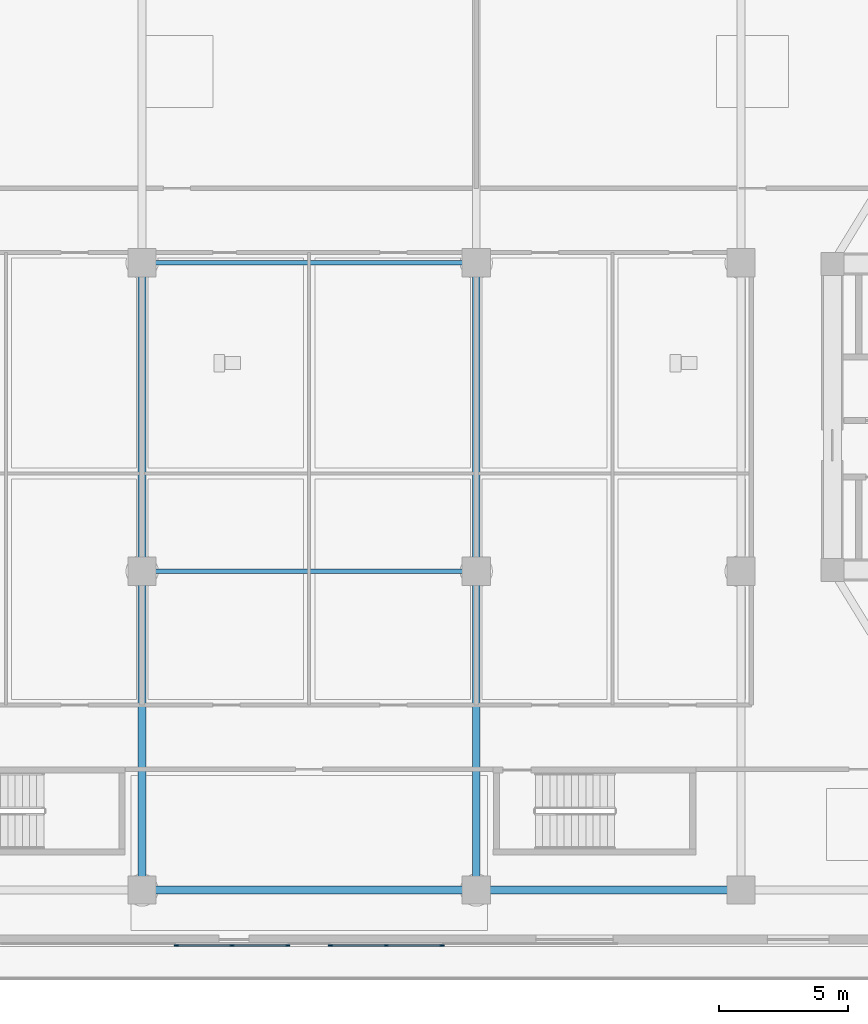
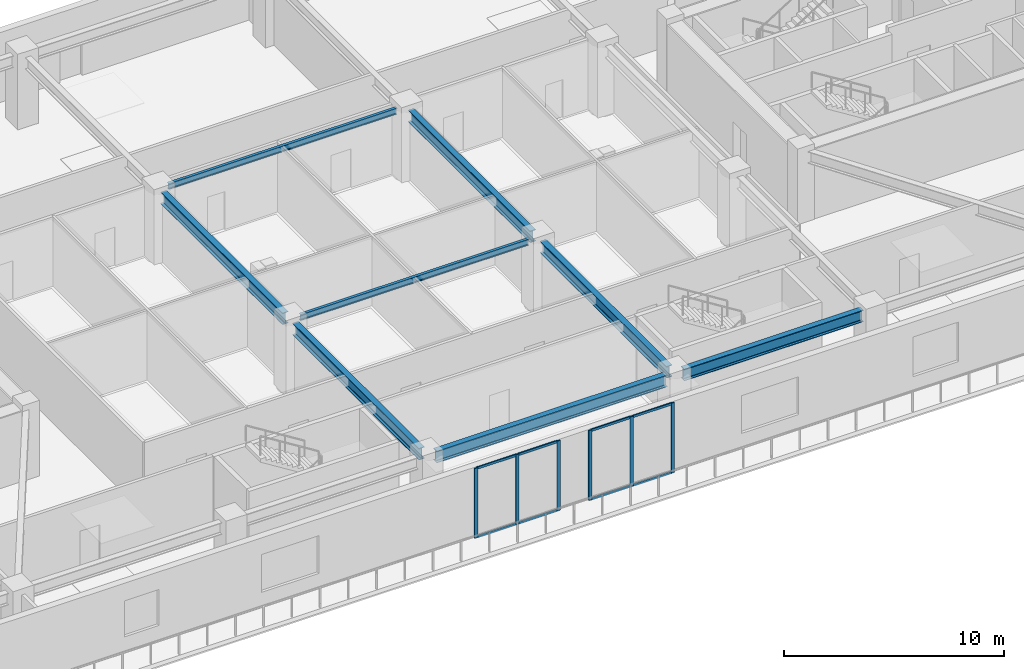
# One storey, part 2 of 22: 14 members, 8 beams, 2 elements without a shape of their own.
"""IFC4 building model written with IfcOpenShell, lengths in metres."""

from ifc_helpers import new_model, si_unit, direction, frame, origin, origin_2d, place, context, subcontext, project, spatial, rectangle, i_section, extrude, source, transform, mapped, material, layer, layer_set, material_profile, profile_set, type_object, type_shapes, element, aggregate, save


model = new_model("IFC4")

# Units and contexts
model_context = context("Model", 3, precision=1e-05, world=origin(), true_north=direction((0.0, 1.0)))
body_context = subcontext(model_context, "Body", "Model", "MODEL_VIEW")
ifc_project = project(units=[si_unit("LENGTHUNIT", "METRE"), si_unit("AREAUNIT", "SQUARE_METRE"), si_unit("VOLUMEUNIT", "CUBIC_METRE"), si_unit("PLANEANGLEUNIT", "RADIAN"), si_unit("MASSUNIT", "GRAM", prefix="KILO")], contexts=[model_context])

# Site, building, storey
site_placement = place(None, origin())
site = spatial("IfcSite", under=ifc_project, at=site_placement, CompositionType="ELEMENT")
building_placement = place(site_placement, origin())
building = spatial("IfcBuilding", under=site, at=building_placement, Name="Norrkilde Senior Care Towers", CompositionType="ELEMENT")
storey_placement = place(building_placement, frame((0.0, 0.0, 12.60009765625)))
storey = spatial("IfcBuildingStorey", under=building, at=storey_placement, Name="L03", CompositionType="ELEMENT", Elevation=12.60009765625)

# Beams
ifc_material_1 = material(Name="Steel S355", Category="steel")
ifc_material_profile_1 = material_profile(ifc_material_1, i_section(OverallWidth=0.159912109375, OverallDepth=0.330078125, WebThickness=0.007568359375, FlangeThickness=0.011474609375, FilletRadius=0.01806640625, at=origin_2d()), Name="IPE 330")
ifc_profile_set_1 = profile_set([ifc_material_profile_1], Name="Steel S355")
beam_type_1 = type_object("IfcBeamType", Name="Podium Deck Joist IPE330", PredefinedType="JOIST", material=ifc_profile_set_1)
shared_shape_1 = source(origin(), body_context, "Body", "SweptSolid", [
    extrude(i_section(OverallWidth=0.159912109375, OverallDepth=0.330078125, WebThickness=0.007568359375, FlangeThickness=0.011474609375, FilletRadius=0.01806640625, at=origin_2d()), origin(), (0.0, 0.0, 1.0), 12.0),
])
type_shapes(beam_type_1, [shared_shape_1])
for number, where, z_axis, x_axis, name in (
    (1, (-6.0, -6.0, 3.71484375), (1.0, 0.0, 0.0), (0.0, 1.0, 0.0), "L03 Podium Central Span Beam 1"),
    (2, (-6.0, 6.0, 3.71484375), (1.0, 0.0, 0.0), (0.0, 1.0, 0.0), "L03 Podium Central Span Beam 2"),
):
    element("IfcBeam", number, at=place(storey_placement, frame(where, z_axis=z_axis, x_axis=x_axis)), inside=storey, type_object=beam_type_1, Name=name, PredefinedType="JOIST", context=body_context, shape_type="MappedRepresentation", body=[
        mapped(shared_shape_1, transform((0.0, 0.0, 0.0), x_axis=(1.0, 0.0, 0.0), y_axis=(0.0, 1.0, 0.0), z_axis=(0.0, 0.0, 1.0), scale=1.0)),
    ])
ifc_material_profile_2 = material_profile(ifc_material_1, i_section(OverallWidth=0.300048828125, OverallDepth=0.64990234375, WebThickness=0.01611328125, FlangeThickness=0.031005859375, FilletRadius=0.027099609375, at=origin_2d()), Name="HEB 650")
ifc_profile_set_2 = profile_set([ifc_material_profile_2], Name="Steel S355")
beam_type_2 = type_object("IfcBeamType", Name="Podium Primary Beam HEB650", PredefinedType="BEAM", material=ifc_profile_set_2)
shared_shape_2 = source(origin(), body_context, "Body", "SweptSolid", [
    extrude(i_section(OverallWidth=0.300048828125, OverallDepth=0.64990234375, WebThickness=0.01611328125, FlangeThickness=0.031005859375, FilletRadius=0.027099609375, at=origin_2d()), origin(), (0.0, 0.0, 1.0), 9.400146484375),
])
beam_1_placement = place(storey_placement, frame((6.949951171875, -18.39990234375, 3.554931640625), z_axis=(1.0, 0.0, 0.0), x_axis=(0.0, 1.0, 0.0)))
element("IfcBeam", 3, at=beam_1_placement, inside=storey, type_object=beam_type_2, Name="L03 Podium E-W Frame Beam 1.6", PredefinedType="BEAM", context=body_context, shape_type="MappedRepresentation", body=[
    mapped(shared_shape_2, transform((0.0, 0.0, 0.0), x_axis=(1.0, 0.0, 0.0), y_axis=(0.0, 1.0, 0.0), z_axis=(0.0, 0.0, 1.0), scale=1.0)),
])
shared_shape_3 = source(origin(), body_context, "Body", "SweptSolid", [
    extrude(i_section(OverallWidth=0.300048828125, OverallDepth=0.64990234375, WebThickness=0.01611328125, FlangeThickness=0.031005859375, FilletRadius=0.027099609375, at=origin_2d()), origin(), (0.0, 0.0, 1.0), 12.10009765625),
])
beam_2_placement = place(storey_placement, frame((-6.050048828125, -18.39990234375, 3.554931640625), z_axis=(1.0, 0.0, 0.0), x_axis=(0.0, 1.0, 0.0)))
element("IfcBeam", 4, at=beam_2_placement, inside=storey, type_object=beam_type_2, Name="L03 Podium E-W Frame Beam 1.5", PredefinedType="BEAM", context=body_context, shape_type="MappedRepresentation", body=[
    mapped(shared_shape_3, transform((0.0, 0.0, 0.0), x_axis=(1.0, 0.0, 0.0), y_axis=(0.0, 1.0, 0.0), z_axis=(0.0, 0.0, 1.0), scale=1.0)),
])
shared_shape_4 = source(origin(), body_context, "Body", "SweptSolid", [
    extrude(i_section(OverallWidth=0.300048828125, OverallDepth=0.64990234375, WebThickness=0.01611328125, FlangeThickness=0.031005859375, FilletRadius=0.027099609375, at=origin_2d()), origin(), (0.0, 0.0, 1.0), 11.5),
])
for number, where, z_axis, x_axis, name in (
    (5, (-6.5, -17.949951171875, 3.554931640625), (0.0, 1.0, 0.0), (-1.0, 0.0, 0.0), "L03 Podium N-S Frame Beam 2.1"),
    (6, (6.5, -17.949951171875, 3.554931640625), (0.0, 1.0, 0.0), (-1.0, 0.0, 0.0), "L03 Podium N-S Frame Beam 3.1"),
):
    element("IfcBeam", number, at=place(storey_placement, frame(where, z_axis=z_axis, x_axis=x_axis)), inside=storey, type_object=beam_type_2, Name=name, PredefinedType="BEAM", context=body_context, shape_type="MappedRepresentation", body=[
        mapped(shared_shape_4, transform((0.0, 0.0, 0.0), x_axis=(1.0, 0.0, 0.0), y_axis=(0.0, 1.0, 0.0), z_axis=(0.0, 0.0, 1.0), scale=1.0)),
    ])
shared_shape_5 = source(origin(), body_context, "Body", "SweptSolid", [
    extrude(i_section(OverallWidth=0.300048828125, OverallDepth=0.64990234375, WebThickness=0.01611328125, FlangeThickness=0.031005859375, FilletRadius=0.027099609375, at=origin_2d()), origin(), (0.0, 0.0, 1.0), 11.10009765625),
])
type_shapes(beam_type_2, [shared_shape_2, shared_shape_3, shared_shape_4, shared_shape_5])
for number, where, z_axis, x_axis, name in (
    (7, (-6.5, -5.550048828125, 3.554931640625), (0.0, 1.0, 0.0), (-1.0, 0.0, 0.0), "L03 Podium N-S Frame Beam 2.2"),
    (8, (6.5, -5.550048828125, 3.554931640625), (0.0, 1.0, 0.0), (-1.0, 0.0, 0.0), "L03 Podium N-S Frame Beam 3.2"),
):
    element("IfcBeam", number, at=place(storey_placement, frame(where, z_axis=z_axis, x_axis=x_axis)), inside=storey, type_object=beam_type_2, Name=name, PredefinedType="BEAM", context=body_context, shape_type="MappedRepresentation", body=[
        mapped(shared_shape_5, transform((0.0, 0.0, 0.0), x_axis=(1.0, 0.0, 0.0), y_axis=(0.0, 1.0, 0.0), z_axis=(0.0, 0.0, 1.0), scale=1.0)),
    ])

# Curtain wall, members
ifc_material_2 = material(Name="Triple Low-E Insulated Glazing", Category="glass")
ifc_layer = layer(ifc_material_2, 0.219970703125)
ifc_layer_set = layer_set([ifc_layer], Name="Triple Low-E Insulated Glazing")
curtain_wall_type = type_object("IfcCurtainWallType", Name="CW1 Podium Clinic Terracotta Curtain Wall", PredefinedType="NOTDEFINED", material=ifc_layer_set)
curtain_wall_1_placement = place(storey_placement, origin())
curtain_wall_1 = element("IfcCurtainWall", 9, at=curtain_wall_1_placement, inside=storey, type_object=curtain_wall_type, Name="L03 Podium Portal Feature Curtain Wall 1", PredefinedType="NOTDEFINED")
ifc_material_3 = material(Name="Anodised Aluminium", Category="aluminium")
ifc_material_profile_3 = material_profile(ifc_material_3, rectangle(XDim=0.06494140625, YDim=0.1298828125, at=origin_2d()), Name="ALU TRAN 65x130")
ifc_profile_set_3 = profile_set([ifc_material_profile_3], Name="Anodised Aluminium")
member_type_1 = type_object("IfcMemberType", Name="Curtain Wall Transom Heavy 65x130", PredefinedType="USERDEFINED", material=ifc_profile_set_3)
shared_shape_6 = source(origin(), body_context, "Body", "SweptSolid", [
    extrude(rectangle(XDim=0.06494140625, YDim=0.1298828125, at=origin_2d()), origin(), (0.0, 0.0, 1.0), 2.094970703125),
])
type_shapes(member_type_1, [shared_shape_6])
member_1_placement = place(storey_placement, frame((-0.8701171875, -20.56005859375, 0.032470703125), z_axis=(-1.0, 0.0, 0.0), x_axis=(0.0, -1.0, 0.0)))
member_1 = element("IfcMember", 10, at=member_1_placement, type_object=member_type_1, Name="CW-1 transom 1.1", ObjectType="TRANSOM", PredefinedType="USERDEFINED", context=body_context, shape_type="MappedRepresentation", body=[
    mapped(shared_shape_6, transform((0.0, 0.0, 0.0), x_axis=(1.0, 0.0, 0.0), y_axis=(0.0, 1.0, 0.0), z_axis=(0.0, 0.0, 1.0), scale=1.0)),
])
member_2_placement = place(storey_placement, frame((-0.8701171875, -20.56005859375, 3.847412109375), z_axis=(-1.0, 0.0, 0.0), x_axis=(0.0, -1.0, 0.0)))
member_2 = element("IfcMember", 11, at=member_2_placement, type_object=member_type_1, Name="CW-1 transom 1.2", ObjectType="TRANSOM", PredefinedType="USERDEFINED", context=body_context, shape_type="MappedRepresentation", body=[
    mapped(shared_shape_6, transform((0.0, 0.0, 0.0), x_axis=(1.0, 0.0, 0.0), y_axis=(0.0, 1.0, 0.0), z_axis=(0.0, 0.0, 1.0), scale=1.0)),
])
member_3_placement = place(storey_placement, frame((-3.034912109375, -20.56005859375, 0.032470703125), z_axis=(-1.0, 0.0, 0.0), x_axis=(0.0, -1.0, 0.0)))
member_3 = element("IfcMember", 12, at=member_3_placement, type_object=member_type_1, Name="CW-1 transom 2.1", ObjectType="TRANSOM", PredefinedType="USERDEFINED", context=body_context, shape_type="MappedRepresentation", body=[
    mapped(shared_shape_6, transform((0.0, 0.0, 0.0), x_axis=(1.0, 0.0, 0.0), y_axis=(0.0, 1.0, 0.0), z_axis=(0.0, 0.0, 1.0), scale=1.0)),
])
member_4_placement = place(storey_placement, frame((-3.034912109375, -20.56005859375, 3.847412109375), z_axis=(-1.0, 0.0, 0.0), x_axis=(0.0, -1.0, 0.0)))
member_4 = element("IfcMember", 13, at=member_4_placement, type_object=member_type_1, Name="CW-1 transom 2.2", ObjectType="TRANSOM", PredefinedType="USERDEFINED", context=body_context, shape_type="MappedRepresentation", body=[
    mapped(shared_shape_6, transform((0.0, 0.0, 0.0), x_axis=(1.0, 0.0, 0.0), y_axis=(0.0, 1.0, 0.0), z_axis=(0.0, 0.0, 1.0), scale=1.0)),
])

curtain_wall_2_placement = place(storey_placement, origin())
curtain_wall_2 = element("IfcCurtainWall", 14, at=curtain_wall_2_placement, inside=storey, type_object=curtain_wall_type, Name="L03 Podium Portal Feature Curtain Wall 2", PredefinedType="NOTDEFINED")
member_5_placement = place(storey_placement, frame((5.1298828125, -20.56005859375, 0.032470703125), z_axis=(-1.0, 0.0, 0.0), x_axis=(0.0, -1.0, 0.0)))
member_5 = element("IfcMember", 15, at=member_5_placement, type_object=member_type_1, Name="CW-1 transom 1.1", ObjectType="TRANSOM", PredefinedType="USERDEFINED", context=body_context, shape_type="MappedRepresentation", body=[
    mapped(shared_shape_6, transform((0.0, 0.0, 0.0), x_axis=(1.0, 0.0, 0.0), y_axis=(0.0, 1.0, 0.0), z_axis=(0.0, 0.0, 1.0), scale=1.0)),
])
member_6_placement = place(storey_placement, frame((5.1298828125, -20.56005859375, 3.847412109375), z_axis=(-1.0, 0.0, 0.0), x_axis=(0.0, -1.0, 0.0)))
member_6 = element("IfcMember", 16, at=member_6_placement, type_object=member_type_1, Name="CW-1 transom 1.2", ObjectType="TRANSOM", PredefinedType="USERDEFINED", context=body_context, shape_type="MappedRepresentation", body=[
    mapped(shared_shape_6, transform((0.0, 0.0, 0.0), x_axis=(1.0, 0.0, 0.0), y_axis=(0.0, 1.0, 0.0), z_axis=(0.0, 0.0, 1.0), scale=1.0)),
])
member_7_placement = place(storey_placement, frame((2.965087890625, -20.56005859375, 0.032470703125), z_axis=(-1.0, 0.0, 0.0), x_axis=(0.0, -1.0, 0.0)))
member_7 = element("IfcMember", 17, at=member_7_placement, type_object=member_type_1, Name="CW-1 transom 2.1", ObjectType="TRANSOM", PredefinedType="USERDEFINED", context=body_context, shape_type="MappedRepresentation", body=[
    mapped(shared_shape_6, transform((0.0, 0.0, 0.0), x_axis=(1.0, 0.0, 0.0), y_axis=(0.0, 1.0, 0.0), z_axis=(0.0, 0.0, 1.0), scale=1.0)),
])
member_8_placement = place(storey_placement, frame((2.965087890625, -20.56005859375, 3.847412109375), z_axis=(-1.0, 0.0, 0.0), x_axis=(0.0, -1.0, 0.0)))
member_8 = element("IfcMember", 18, at=member_8_placement, type_object=member_type_1, Name="CW-1 transom 2.2", ObjectType="TRANSOM", PredefinedType="USERDEFINED", context=body_context, shape_type="MappedRepresentation", body=[
    mapped(shared_shape_6, transform((0.0, 0.0, 0.0), x_axis=(1.0, 0.0, 0.0), y_axis=(0.0, 1.0, 0.0), z_axis=(0.0, 0.0, 1.0), scale=1.0)),
])

# Member
ifc_material_profile_4 = material_profile(ifc_material_3, rectangle(XDim=0.070068359375, YDim=0.169921875, at=origin_2d()), Name="ALU MULL 70x170")
ifc_profile_set_4 = profile_set([ifc_material_profile_4], Name="Anodised Aluminium")
member_type_2 = type_object("IfcMemberType", Name="Curtain Wall Mullion Heavy 70x170", PredefinedType="MULLION", material=ifc_profile_set_4)
shared_shape_7 = source(origin(), body_context, "Body", "SweptSolid", [
    extrude(rectangle(XDim=0.070068359375, YDim=0.169921875, at=origin_2d()), origin(), (0.0, 0.0, 1.0), 3.8798828125),
])
type_shapes(member_type_2, [shared_shape_7])
member_9_placement = place(storey_placement, frame((-0.8349609375, -20.56005859375, 0.0), z_axis=(0.0, 0.0, 1.0), x_axis=(0.0, -1.0, 0.0)))
member_9 = element("IfcMember", 19, at=member_9_placement, type_object=member_type_2, Name="CW-1 mullion 1", PredefinedType="MULLION", context=body_context, shape_type="MappedRepresentation", body=[
    mapped(shared_shape_7, transform((0.0, 0.0, 0.0), x_axis=(1.0, 0.0, 0.0), y_axis=(0.0, 1.0, 0.0), z_axis=(0.0, 0.0, 1.0), scale=1.0)),
])

member_10_placement = place(storey_placement, frame((-3.0, -20.56005859375, 0.0), z_axis=(0.0, 0.0, 1.0), x_axis=(0.0, -1.0, 0.0)))
member_10 = element("IfcMember", 20, at=member_10_placement, type_object=member_type_2, Name="CW-1 mullion 2", PredefinedType="MULLION", context=body_context, shape_type="MappedRepresentation", body=[
    mapped(shared_shape_7, transform((0.0, 0.0, 0.0), x_axis=(1.0, 0.0, 0.0), y_axis=(0.0, 1.0, 0.0), z_axis=(0.0, 0.0, 1.0), scale=1.0)),
])

member_11_placement = place(storey_placement, frame((-5.1650390625, -20.56005859375, 0.0), z_axis=(0.0, 0.0, 1.0), x_axis=(0.0, -1.0, 0.0)))
member_11 = element("IfcMember", 21, at=member_11_placement, type_object=member_type_2, Name="CW-1 mullion 3", PredefinedType="MULLION", context=body_context, shape_type="MappedRepresentation", body=[
    mapped(shared_shape_7, transform((0.0, 0.0, 0.0), x_axis=(1.0, 0.0, 0.0), y_axis=(0.0, 1.0, 0.0), z_axis=(0.0, 0.0, 1.0), scale=1.0)),
])

aggregate(curtain_wall_1, [member_9, member_10, member_11, member_1, member_2, member_3, member_4])

member_12_placement = place(storey_placement, frame((5.1650390625, -20.56005859375, 0.0), z_axis=(0.0, 0.0, 1.0), x_axis=(0.0, -1.0, 0.0)))
member_12 = element("IfcMember", 22, at=member_12_placement, type_object=member_type_2, Name="CW-1 mullion 1", PredefinedType="MULLION", context=body_context, shape_type="MappedRepresentation", body=[
    mapped(shared_shape_7, transform((0.0, 0.0, 0.0), x_axis=(1.0, 0.0, 0.0), y_axis=(0.0, 1.0, 0.0), z_axis=(0.0, 0.0, 1.0), scale=1.0)),
])

member_13_placement = place(storey_placement, frame((3.0, -20.56005859375, 0.0), z_axis=(0.0, 0.0, 1.0), x_axis=(0.0, -1.0, 0.0)))
member_13 = element("IfcMember", 23, at=member_13_placement, type_object=member_type_2, Name="CW-1 mullion 2", PredefinedType="MULLION", context=body_context, shape_type="MappedRepresentation", body=[
    mapped(shared_shape_7, transform((0.0, 0.0, 0.0), x_axis=(1.0, 0.0, 0.0), y_axis=(0.0, 1.0, 0.0), z_axis=(0.0, 0.0, 1.0), scale=1.0)),
])

member_14_placement = place(storey_placement, frame((0.8349609375, -20.56005859375, 0.0), z_axis=(0.0, 0.0, 1.0), x_axis=(0.0, -1.0, 0.0)))
member_14 = element("IfcMember", 24, at=member_14_placement, type_object=member_type_2, Name="CW-1 mullion 3", PredefinedType="MULLION", context=body_context, shape_type="MappedRepresentation", body=[
    mapped(shared_shape_7, transform((0.0, 0.0, 0.0), x_axis=(1.0, 0.0, 0.0), y_axis=(0.0, 1.0, 0.0), z_axis=(0.0, 0.0, 1.0), scale=1.0)),
])

aggregate(curtain_wall_2, [member_12, member_13, member_14, member_5, member_6, member_7, member_8])

save(model, "model.ifc")
